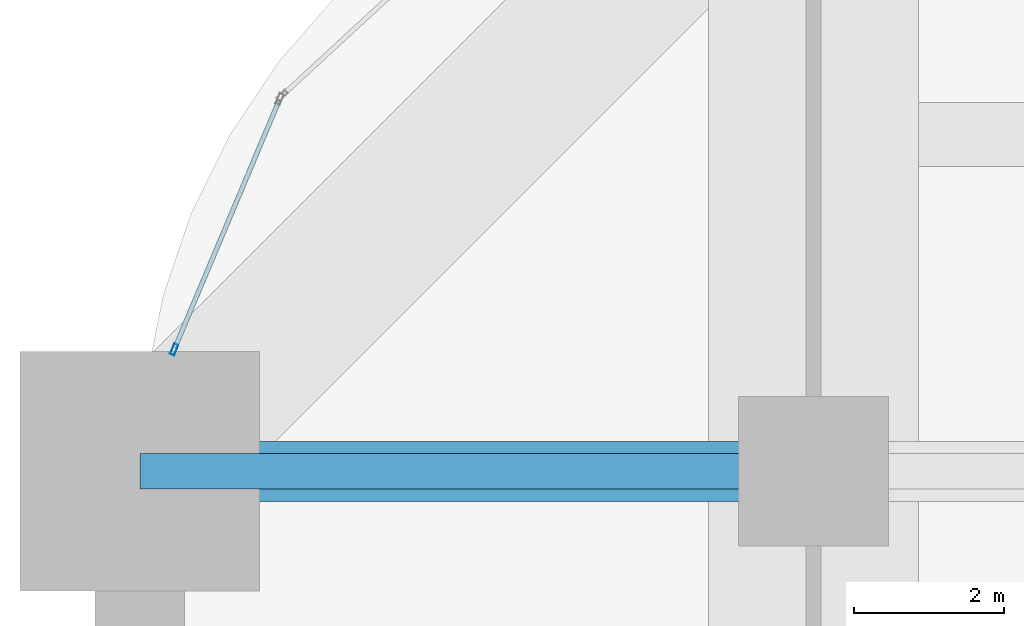
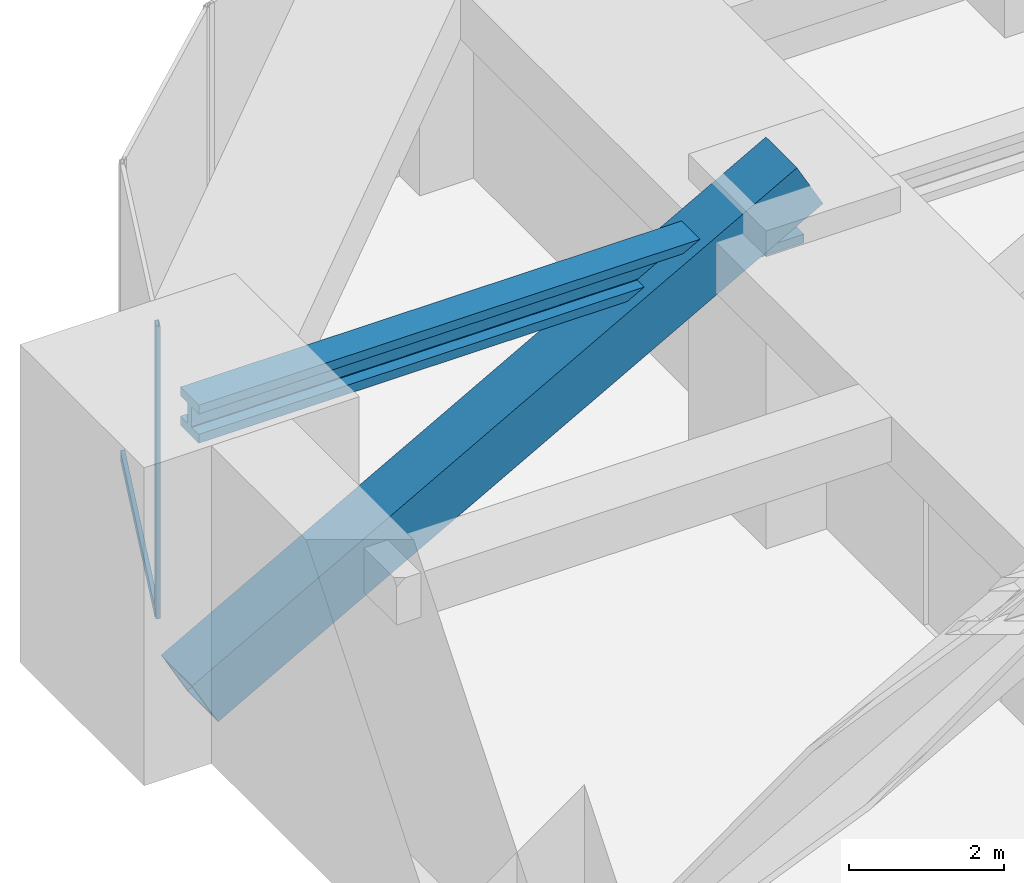
# One storey, part 20 of 38: 3 members, 1 beam, 1 element without a shape of its own.
"""IFC4 building model written with IfcOpenShell, lengths in metres."""

from ifc_helpers import new_model, si_unit, direction, frame, origin, origin_2d, place, context, subcontext, project, spatial, hollow_rectangle, i_section, extrude, material, material_profile, profile_set, type_object, element, aggregate, save


model = new_model("IFC4")

# Units and contexts
model_context = context("Model", 3, precision=1e-05, world=origin(), true_north=direction((0.0, 1.0)))
body_context = subcontext(model_context, "Body", "Model", "MODEL_VIEW")
ifc_project = project(units=[si_unit("LENGTHUNIT", "METRE"), si_unit("AREAUNIT", "SQUARE_METRE"), si_unit("VOLUMEUNIT", "CUBIC_METRE"), si_unit("PLANEANGLEUNIT", "RADIAN"), si_unit("MASSUNIT", "GRAM", prefix="KILO")], contexts=[model_context])

# Site, building, storey
site_placement = place(None, origin())
site = spatial("IfcSite", under=ifc_project, at=site_placement, CompositionType="ELEMENT")
building_placement = place(site_placement, origin())
building = spatial("IfcBuilding", under=site, at=building_placement, Name="Zorevar Civic Tower", CompositionType="ELEMENT")
storey_placement = place(building_placement, frame((0.0, 0.0, 157.199951171875)))
storey = spatial("IfcBuildingStorey", under=building, at=storey_placement, Name="L38", CompositionType="ELEMENT", Elevation=157.199951171875)

# Curtain wall, members
ifc_material_1 = material(Name="Black aluminium louvres", Category="aluminium")
curtain_wall_type = type_object("IfcCurtainWallType", Name="Louvred curtain wall CW6 refuge", PredefinedType="NOTDEFINED", material=ifc_material_1)
curtain_wall_placement = place(storey_placement, origin())
curtain_wall = element("IfcCurtainWall", 1, at=curtain_wall_placement, inside=storey, type_object=curtain_wall_type, Name="CW6 L38", PredefinedType="NOTDEFINED")
ifc_material_2 = material(Name="Aluminium, black anodised", Category="aluminium")
ifc_material_profile_1 = material_profile(ifc_material_2, hollow_rectangle(XDim=0.06005859375, YDim=0.14990234375, WallThickness=0.00390625, at=origin_2d()), Name="AL 150x60x4")
ifc_profile_set_1 = profile_set([ifc_material_profile_1], Name="Aluminium, black anodised")
member_type_1 = type_object("IfcMemberType", Name="CW6 mullion AL 150x60x4", PredefinedType="MULLION", material=ifc_profile_set_1)
member_1_placement = place(storey_placement, frame((0.460205078125, 37.627685546875, 0.0), z_axis=(0.0, 0.0, 1.0), x_axis=(0.921581744025, -0.388184349349, 0.0)))
member_1 = element("IfcMember", 2, at=member_1_placement, type_object=member_type_1, Name="CW6 mullion 2", PredefinedType="MULLION", context=body_context, shape_type="SweptSolid", body=[
    extrude(hollow_rectangle(XDim=0.06005859375, YDim=0.14990234375, WallThickness=0.00390625, at=origin_2d()), origin(), (0.0, 0.0, 1.0), 4.60009765625),
])
ifc_material_3 = material(Name="Aluminium, black anodised", Category="aluminium")
ifc_material_profile_2 = material_profile(ifc_material_3, hollow_rectangle(XDim=0.06005859375, YDim=0.14990234375, WallThickness=0.00390625, at=origin_2d()), Name="AL 150x60x4")
ifc_profile_set_2 = profile_set([ifc_material_profile_2], Name="Aluminium, black anodised")
member_type_2 = type_object("IfcMemberType", Name="CW6 transom AL 150x60x4", PredefinedType="USERDEFINED", material=ifc_profile_set_2)
member_2_placement = place(storey_placement, frame((1.857666015625, 40.945556640625, 0.030029296875), z_axis=(-0.388200676534, -0.921574866594, 0.0), x_axis=(0.921574866594, -0.388200676534, 0.0)))
member_2 = element("IfcMember", 3, at=member_2_placement, type_object=member_type_2, Name="CW6 sill transom", ObjectType="TRANSOM", PredefinedType="USERDEFINED", context=body_context, shape_type="SweptSolid", body=[
    extrude(hollow_rectangle(XDim=0.06005859375, YDim=0.14990234375, WallThickness=0.00390625, at=origin_2d()), origin(), (0.0, 0.0, 1.0), 3.5703125),
])
aggregate(curtain_wall, [member_1, member_2])

# Beam
ifc_material_4 = material(Name="Steel S460M (HISTAR 460)", Category="steel")
ifc_material_profile_3 = material_profile(ifc_material_4, i_section(OverallWidth=0.47607421875, OverallDepth=0.60009765625, WebThickness=0.10009765625, FlangeThickness=0.139892578125, FilletRadius=0.014892578125, at=origin_2d()), Name="HD 400x1299")
ifc_profile_set_3 = profile_set([ifc_material_profile_3], Name="Steel S460M (HISTAR 460)")
beam_type = type_object("IfcBeamType", Name="Outrigger chord HD 400x1299", PredefinedType="BEAM", material=ifc_profile_set_3)
beam_placement = place(storey_placement, frame((0.0, 36.0, 4.300048828125), z_axis=(1.0, 0.0, 0.0), x_axis=(0.0, 1.0, 0.0)))
element("IfcBeam", 4, at=beam_placement, inside=storey, type_object=beam_type, Name="Outrigger chord L39", PredefinedType="BEAM", context=body_context, shape_type="SweptSolid", body=[
    extrude(i_section(OverallWidth=0.47607421875, OverallDepth=0.60009765625, WebThickness=0.10009765625, FlangeThickness=0.139892578125, FilletRadius=0.014892578125, at=origin_2d()), origin(), (0.0, 0.0, 1.0), 9.0),
])

# Member
ifc_material_5 = material(Name="Steel S460M (HISTAR 460)", Category="steel")
ifc_material_profile_4 = material_profile(ifc_material_5, hollow_rectangle(XDim=0.800048828125, YDim=0.800048828125, WallThickness=0.06005859375, at=origin_2d()), Name="BOX 800x800x60")
ifc_profile_set_4 = profile_set([ifc_material_profile_4], Name="Steel S460M (HISTAR 460)")
member_type_3 = type_object("IfcMemberType", Name="Outrigger diagonal BOX 800x800x60", PredefinedType="BRACE", material=ifc_profile_set_4)
member_3_placement = place(storey_placement, frame((9.0, 36.0, 5.0), z_axis=(-0.874157276122, 0.0, -0.485642931179), x_axis=(0.0, -1.0, 0.0)))
element("IfcMember", 5, at=member_3_placement, inside=storey, type_object=member_type_3, Name="Outrigger diagonal W L38", PredefinedType="BRACE", context=body_context, shape_type="SweptSolid", body=[
    extrude(hollow_rectangle(XDim=0.800048828125, YDim=0.800048828125, WallThickness=0.06005859375, at=origin_2d()), origin(), (0.0, 0.0, 1.0), 10.295654296875),
])

save(model, "model.ifc")
